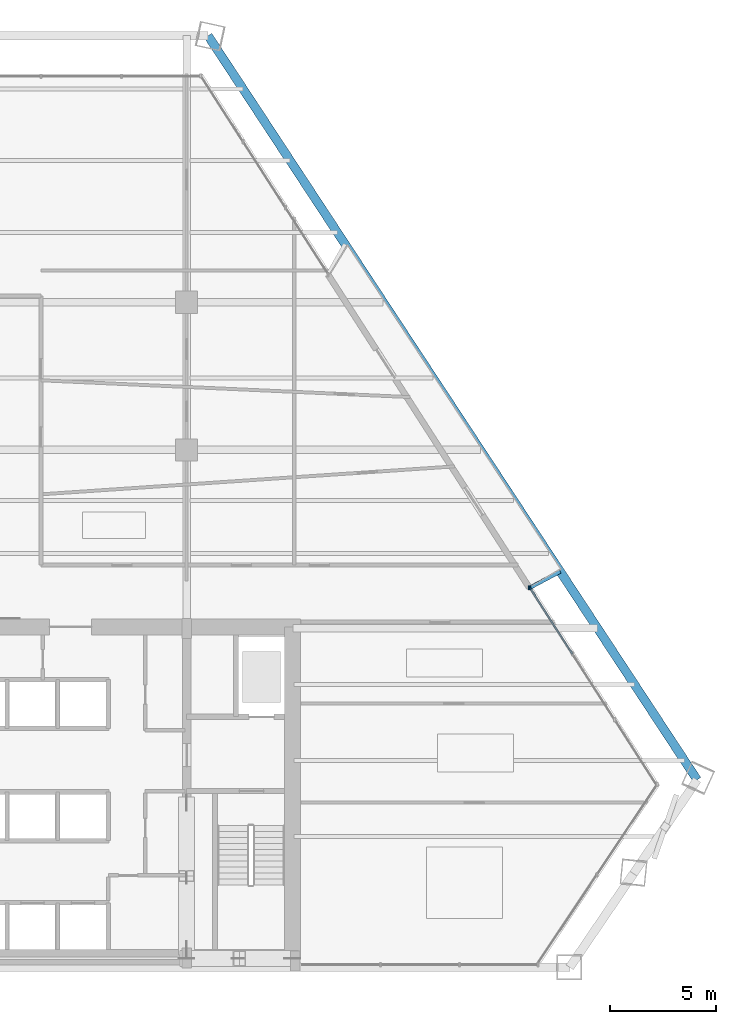
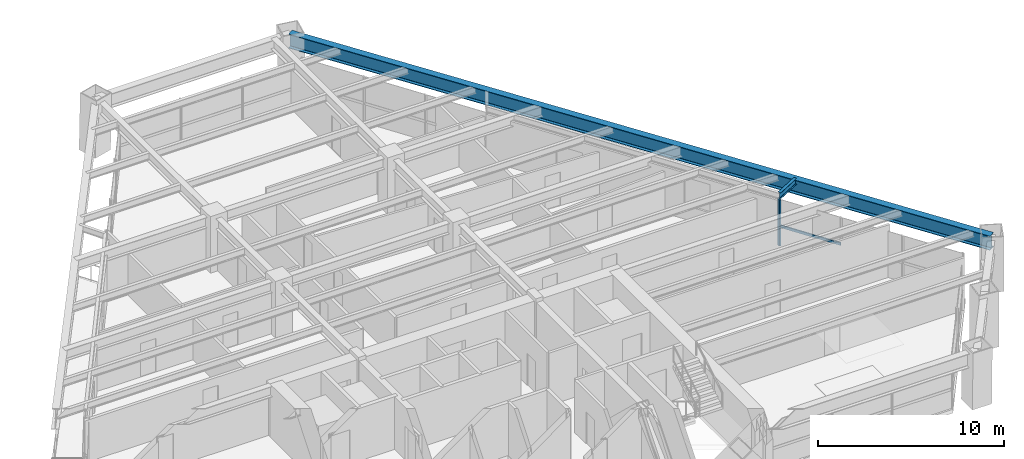
# One storey, part 7 of 15: 3 members, 2 beams, 1 element without a shape of its own.
"""IFC4 building model written with IfcOpenShell, lengths in metres."""

from ifc_helpers import new_model, si_unit, direction, frame, origin, origin_2d, place, context, subcontext, project, spatial, rectangle, i_section, extrude, source, transform, mapped, material, material_profile, profile_set, type_object, type_shapes, element, aggregate, save


model = new_model("IFC4")

# Units and contexts
model_context = context("Model", 3, precision=1e-05, world=origin(), true_north=direction((0.0, 1.0)))
body_context = subcontext(model_context, "Body", "Model", "MODEL_VIEW")
ifc_project = project(units=[si_unit("LENGTHUNIT", "METRE"), si_unit("AREAUNIT", "SQUARE_METRE"), si_unit("VOLUMEUNIT", "CUBIC_METRE"), si_unit("PLANEANGLEUNIT", "RADIAN"), si_unit("MASSUNIT", "GRAM", prefix="KILO")], contexts=[model_context])

# Site, building, storey
site_placement = place(None, origin())
site = spatial("IfcSite", under=ifc_project, at=site_placement, CompositionType="ELEMENT")
building_placement = place(site_placement, origin())
building = spatial("IfcBuilding", under=site, at=building_placement, Name="Varnakhor Terracotta Tower", CompositionType="ELEMENT")
storey_placement = place(building_placement, frame((0.0, 0.0, 109.89990234375)))
storey = spatial("IfcBuildingStorey", under=building, at=storey_placement, Name="L27", CompositionType="ELEMENT", Elevation=109.89990234375)

# Beam
ifc_material_1 = material(Name="Steel S355", Category="steel")
ifc_material_profile_1 = material_profile(ifc_material_1, i_section(OverallWidth=0.41796875, OverallDepth=0.927001953125, WebThickness=0.01904296875, FlangeThickness=0.031982421875, FilletRadius=0.01806640625, at=origin_2d()), Name="W36X231")
ifc_profile_set_1 = profile_set([ifc_material_profile_1], Name="Steel S355")
beam_type_1 = type_object("IfcBeamType", Name="BM-W36X231", PredefinedType="BEAM", material=ifc_profile_set_1)
shared_shape_1 = source(origin(), body_context, "Body", "SweptSolid", [
    extrude(i_section(OverallWidth=0.41796875, OverallDepth=0.927001953125, WebThickness=0.01904296875, FlangeThickness=0.031982421875, FilletRadius=0.01806640625, at=origin_2d()), origin(), (0.0, 0.0, 1.0), 42.172119140625),
])
beam_1_placement = place(storey_placement, frame((29.6826171875, 8.876220703125, 2.986572265625), z_axis=(-0.549226865633, 0.835673291465, 0.0), x_axis=(-0.835673291465, -0.549226865633, 0.0)))
element("IfcBeam", 1, at=beam_1_placement, inside=storey, type_object=beam_type_1, Name="L27 Perimeter Spandrel 4", PredefinedType="BEAM", context=body_context, shape_type="MappedRepresentation", body=[
    mapped(shared_shape_1, transform((0.0, 0.0, 0.0), scale=1.0)),
])

# Curtain wall, members
ifc_material_2 = material(Name="Anodised Aluminium Curtain Wall System", Category="aluminium")
curtain_wall_type = type_object("IfcCurtainWallType", Name="CW-SYS-LOW-OFFICE", PredefinedType="NOTDEFINED", material=ifc_material_2)
curtain_wall_placement = place(storey_placement, origin())
curtain_wall = element("IfcCurtainWall", 2, at=curtain_wall_placement, inside=storey, type_object=curtain_wall_type, Name="L27 E Facet Curtain Wall 2", PredefinedType="NOTDEFINED")
ifc_material_3 = material(Name="Anodised Aluminium 6063-T6", Category="aluminium")
ifc_material_profile_2 = material_profile(ifc_material_3, rectangle(XDim=0.074951171875, YDim=0.18505859375, at=origin_2d()), Name="ALU MULLION 75x185")
ifc_profile_set_2 = profile_set([ifc_material_profile_2], Name="Anodised Aluminium 6063-T6")
member_type_1 = type_object("IfcMemberType", Name="CWM-02", PredefinedType="MULLION", material=ifc_profile_set_2)
shared_shape_2 = source(origin(), body_context, "Body", "SweptSolid", [
    extrude(rectangle(XDim=0.074951171875, YDim=0.18505859375, at=origin_2d()), origin(), (0.0, 0.0, 1.0), 3.030029296875),
])
type_shapes(member_type_1, [shared_shape_2])
member_1_placement = place(storey_placement, frame((21.760498046875, 17.970458984375, 0.0), z_axis=(0.0, 0.0, 1.0), x_axis=(1.0, 0.0, 0.0)))
member_1 = element("IfcMember", 3, at=member_1_placement, type_object=member_type_1, Name="L27 E Facet Curtain Wall 2 Mullion 1", PredefinedType="MULLION", context=body_context, shape_type="MappedRepresentation", body=[
    mapped(shared_shape_2, transform((0.0, 0.0, 0.0), scale=1.0)),
])
member_2_placement = place(storey_placement, frame((21.727294921875, 17.98486328125, 0.0), z_axis=(0.0, 0.0, 1.0), x_axis=(1.0, 0.0, 0.0)))
member_2 = element("IfcMember", 4, at=member_2_placement, type_object=member_type_1, Name="L27 E Loggia Jamb Closure Mullion 2", PredefinedType="MULLION", context=body_context, shape_type="MappedRepresentation", body=[
    mapped(shared_shape_2, transform((0.0, 0.0, 0.0), scale=1.0)),
])
ifc_material_profile_3 = material_profile(ifc_material_3, rectangle(XDim=0.074951171875, YDim=0.1650390625, at=origin_2d()), Name="ALU TRANSOM 75x165")
ifc_profile_set_3 = profile_set([ifc_material_profile_3], Name="Anodised Aluminium 6063-T6")
member_type_2 = type_object("IfcMemberType", Name="CWT-02", PredefinedType="USERDEFINED", material=ifc_profile_set_3)
shared_shape_3 = source(origin(), body_context, "Body", "SweptSolid", [
    extrude(rectangle(XDim=0.074951171875, YDim=0.1650390625, at=origin_2d()), origin(), (0.0, 0.0, 1.0), 3.717041015625),
])
member_3_placement = place(storey_placement, frame((21.760498046875, 17.970458984375, 1.272705078125), z_axis=(0.540631437178, -0.841259561096, 0.0), x_axis=(0.841259561096, 0.540631437178, 0.0)))
member_3 = element("IfcMember", 5, at=member_3_placement, type_object=member_type_2, Name="L27 E Facet Curtain Wall 2 Transom 1", ObjectType="TRANSOM", PredefinedType="USERDEFINED", context=body_context, shape_type="MappedRepresentation", body=[
    mapped(shared_shape_3, transform((0.0, 0.0, 0.0), scale=1.0)),
])
aggregate(curtain_wall, [member_1, member_3, member_2])

# Beam
ifc_material_profile_4 = material_profile(ifc_material_1, i_section(OverallWidth=0.179931640625, OverallDepth=0.39990234375, WebThickness=0.008544921875, FlangeThickness=0.013427734375, FilletRadius=0.01806640625, at=origin_2d()), Name="IPE400")
ifc_profile_set_4 = profile_set([ifc_material_profile_4], Name="Steel S355")
beam_type_2 = type_object("IfcBeamType", Name="JST-IPE400", PredefinedType="JOIST", material=ifc_profile_set_4)
shared_shape_4 = source(origin(), body_context, "Body", "SweptSolid", [
    extrude(i_section(OverallWidth=0.179931640625, OverallDepth=0.39990234375, WebThickness=0.008544921875, FlangeThickness=0.013427734375, FilletRadius=0.01806640625, at=origin_2d()), origin(), (0.0, 0.0, 1.0), 1.61328125),
])
beam_2_placement = place(storey_placement, frame((21.773193359375, 17.985595703125, 3.25), z_axis=(0.882662724762, 0.470006930072, 0.0), x_axis=(-0.470006930072, 0.882662724762, 0.0)))
element("IfcBeam", 6, at=beam_2_placement, inside=storey, type_object=beam_type_2, Name="L28 E Loggia Tie Beam 2", PredefinedType="JOIST", context=body_context, shape_type="MappedRepresentation", body=[
    mapped(shared_shape_4, transform((0.0, 0.0, 0.0), scale=1.0)),
])

save(model, "model.ifc")
